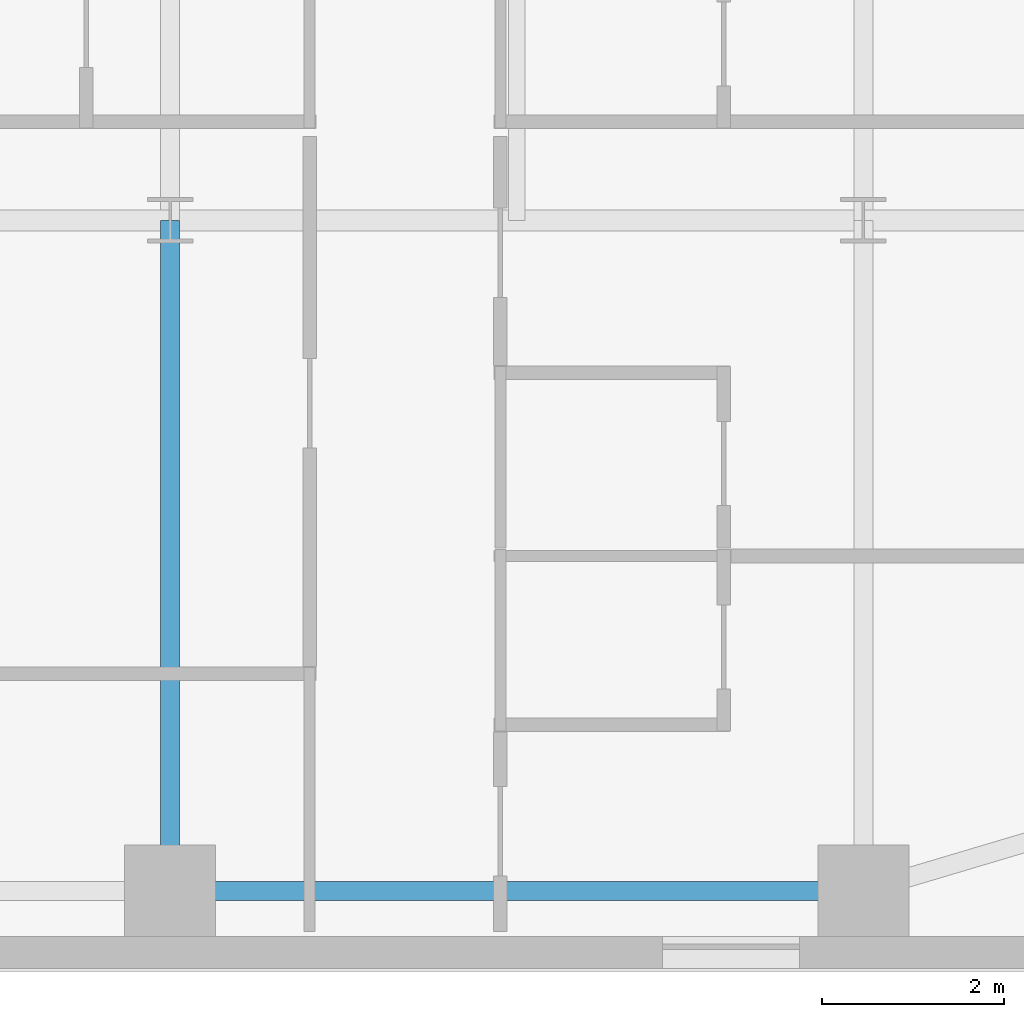
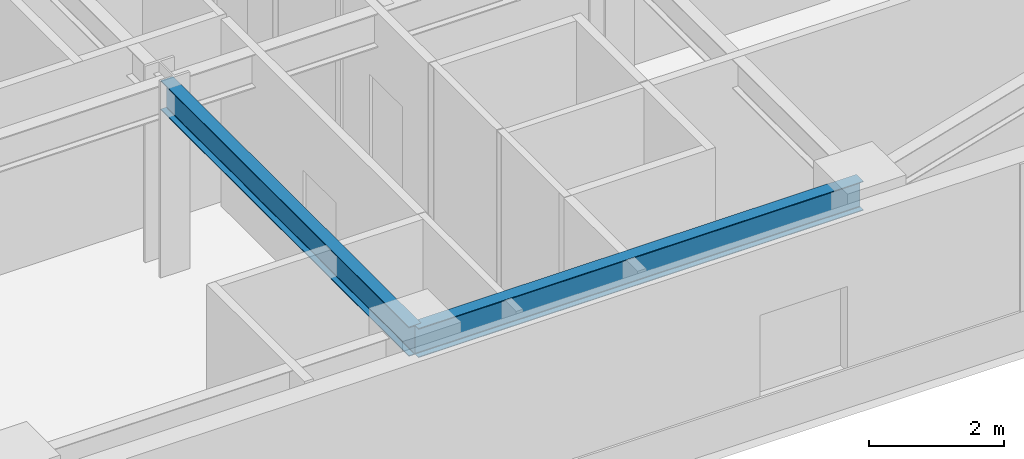
# One storey, part 8 of 24: 2 beams.
"""IFC4 building model written with IfcOpenShell, lengths in metres."""

from ifc_helpers import new_model, si_unit, direction, frame, origin, origin_2d, place, context, subcontext, project, spatial, i_section, extrude, source, transform, mapped, material, material_profile, profile_set, type_object, type_shapes, element, save


model = new_model("IFC4")

# Units and contexts
model_context = context("Model", 3, precision=1e-05, world=origin(), true_north=direction((0.0, 1.0)))
body_context = subcontext(model_context, "Body", "Model", "MODEL_VIEW")
ifc_project = project(units=[si_unit("LENGTHUNIT", "METRE"), si_unit("AREAUNIT", "SQUARE_METRE"), si_unit("VOLUMEUNIT", "CUBIC_METRE"), si_unit("PLANEANGLEUNIT", "RADIAN"), si_unit("MASSUNIT", "GRAM", prefix="KILO")], contexts=[model_context])

# Site, building, storey
site_placement = place(None, origin())
site = spatial("IfcSite", under=ifc_project, at=site_placement, CompositionType="ELEMENT")
building_placement = place(site_placement, origin())
building = spatial("IfcBuilding", under=site, at=building_placement, Name="Tolvann Quenvar Hotel", CompositionType="ELEMENT")
storey_placement = place(building_placement, frame((0.0, 0.0, 67.5)))
storey = spatial("IfcBuildingStorey", under=building, at=storey_placement, Name="L16", CompositionType="ELEMENT", Elevation=67.5)

# Beams
ifc_material = material(Name="Steel Grade 350", Category="steel")
ifc_material_profile_1 = material_profile(ifc_material, i_section(OverallWidth=0.208984375, OverallDepth=0.528076171875, WebThickness=0.009521484375, FlangeThickness=0.01318359375, FilletRadius=0.013916015625, at=origin_2d()), Name="530UB82")
ifc_profile_set_1 = profile_set([ifc_material_profile_1], Name="Steel Grade 350")
beam_type_1 = type_object("IfcBeamType", Name="BM_SPAND_530UB82", PredefinedType="SPANDREL", material=ifc_profile_set_1)
shared_shape_1 = source(origin(), body_context, "Body", "SweptSolid", [
    extrude(i_section(OverallWidth=0.208984375, OverallDepth=0.528076171875, WebThickness=0.009521484375, FlangeThickness=0.01318359375, FilletRadius=0.013916015625, at=origin_2d()), origin(), (0.0, 0.0, 1.0), 7.599853515625),
])
type_shapes(beam_type_1, [shared_shape_1])
beam_1_placement = place(storey_placement, frame((41.800048828125, 0.85009765625, 3.10595703125), z_axis=(1.0, 0.0, 0.0), x_axis=(0.0, 1.0, 0.0)))
element("IfcBeam", 1, at=beam_1_placement, inside=storey, type_object=beam_type_1, Name="BM-L16-EW-2-H2-I2", PredefinedType="SPANDREL", context=body_context, shape_type="MappedRepresentation", body=[
    mapped(shared_shape_1, transform((0.0, 0.0, 0.0), x_axis=(1.0, 0.0, 0.0), y_axis=(0.0, 1.0, 0.0), z_axis=(0.0, 0.0, 1.0), scale=1.0)),
])
ifc_material_profile_2 = material_profile(ifc_material, i_section(OverallWidth=0.208984375, OverallDepth=0.532958984375, WebThickness=0.01025390625, FlangeThickness=0.015625, FilletRadius=0.013916015625, at=origin_2d()), Name="530UB92")
ifc_profile_set_2 = profile_set([ifc_material_profile_2], Name="Steel Grade 350")
beam_type_2 = type_object("IfcBeamType", Name="BM_GIRD_530UB92", PredefinedType="BEAM", material=ifc_profile_set_2)
shared_shape_2 = source(origin(), body_context, "Body", "SweptSolid", [
    extrude(i_section(OverallWidth=0.208984375, OverallDepth=0.532958984375, WebThickness=0.01025390625, FlangeThickness=0.015625, FilletRadius=0.013916015625, at=origin_2d()), origin(), (0.0, 0.0, 1.0), 7.349853515625),
])
type_shapes(beam_type_2, [shared_shape_2])
beam_2_placement = place(storey_placement, frame((41.800048828125, 0.85009765625, 3.103515625), z_axis=(0.0, 1.0, 0.0), x_axis=(-1.0, 0.0, 0.0)))
element("IfcBeam", 2, at=beam_2_placement, inside=storey, type_object=beam_type_2, Name="BM-L16-NS-H2-H3", PredefinedType="BEAM", context=body_context, shape_type="MappedRepresentation", body=[
    mapped(shared_shape_2, transform((0.0, 0.0, 0.0), x_axis=(1.0, 0.0, 0.0), y_axis=(0.0, 1.0, 0.0), z_axis=(0.0, 0.0, 1.0), scale=1.0)),
])

save(model, "model.ifc")
